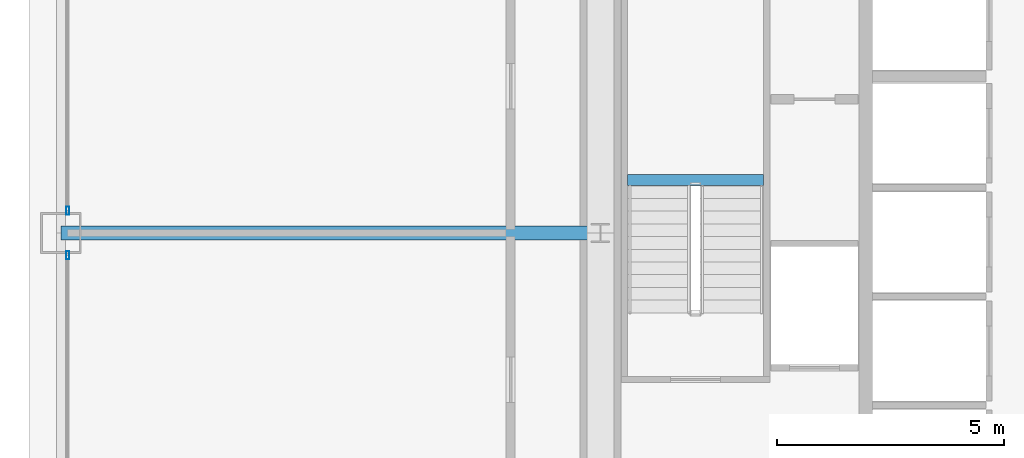
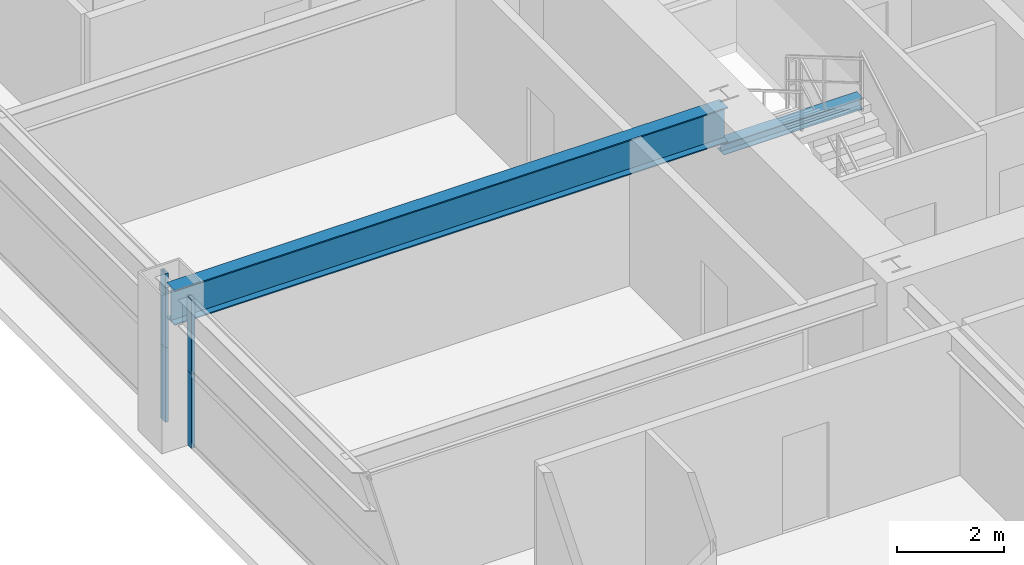
# One storey, part 12 of 43: 4 members, 2 beams, 2 elements without a shape of their own.
"""IFC4 building model written with IfcOpenShell, lengths in metres."""

from ifc_helpers import new_model, si_unit, direction, frame, origin, origin_2d, place, context, subcontext, project, spatial, hollow_rectangle, i_section, extrude, source, transform, mapped, material, layer, layer_set, material_profile, profile_set, type_object, element, aggregate, save


model = new_model("IFC4")

# Units and contexts
model_context = context("Model", 3, precision=1e-05, world=origin(), true_north=direction((0.0, 1.0)))
body_context = subcontext(model_context, "Body", "Model", "MODEL_VIEW")
ifc_project = project(units=[si_unit("LENGTHUNIT", "METRE"), si_unit("AREAUNIT", "SQUARE_METRE"), si_unit("VOLUMEUNIT", "CUBIC_METRE"), si_unit("PLANEANGLEUNIT", "RADIAN"), si_unit("MASSUNIT", "GRAM", prefix="KILO"), si_unit("THERMODYNAMICTEMPERATUREUNIT", "KELVIN"), si_unit("POWERUNIT", "WATT")], contexts=[model_context])

# Site, building, storey
site_placement = place(None, origin())
site = spatial("IfcSite", under=ifc_project, at=site_placement, CompositionType="ELEMENT")
building_placement = place(site_placement, origin())
building = spatial("IfcBuilding", under=site, at=building_placement, Name="Yuzanri Waterfront Tower", CompositionType="ELEMENT")
storey_placement = place(building_placement, frame((0.0, 0.0, 71.199951171875)))
storey = spatial("IfcBuildingStorey", under=building, at=storey_placement, Name="L18", CompositionType="ELEMENT", Elevation=71.199951171875)

# Beam
ifc_material_1 = material(Name="Steel Q355B", Category="steel")
ifc_material_profile_1 = material_profile(ifc_material_1, i_section(OverallWidth=0.300048828125, OverallDepth=0.800048828125, WebThickness=0.013916015625, FlangeThickness=0.02587890625, at=origin_2d()), Name="HN 800x300x14x26")
ifc_profile_set_1 = profile_set([ifc_material_profile_1], Name="Steel Q355B")
beam_type_1 = type_object("IfcBeamType", Name="Primary Floor Girder Q355B HN 800x300", PredefinedType="BEAM", material=ifc_profile_set_1)
shared_shape_1 = source(origin(), body_context, "Body", "SweptSolid", [
    extrude(i_section(OverallWidth=0.300048828125, OverallDepth=0.800048828125, WebThickness=0.013916015625, FlangeThickness=0.02587890625, at=origin_2d()), origin(), (0.0, 0.0, 1.0), 11.900146484375),
])
beam_1_placement = place(storey_placement, frame((23.800048828125, 25.800048828125, 2.97998046875), z_axis=(-1.0, 0.0, 0.0), x_axis=(0.0, -1.0, 0.0)))
element("IfcBeam", 1, at=beam_1_placement, inside=storey, type_object=beam_type_1, Name="L18 West Grid Girder", PredefinedType="BEAM", context=body_context, shape_type="MappedRepresentation", body=[
    mapped(shared_shape_1, transform((0.0, 0.0, 0.0), scale=1.0)),
])

# Curtain wall, members
ifc_material_2 = material(Name="Anodized Architectural Bronze", Category="metal")
ifc_layer = layer(ifc_material_2, 0.159912109375)
ifc_layer_set = layer_set([ifc_layer], Name="Anodized Architectural Bronze")
curtain_wall_type = type_object("IfcCurtainWallType", Name="Anodized Bronze Hotel Lower-Tier Recessed Unitized Curtain Wall 8100", PredefinedType="NOTDEFINED", material=ifc_layer_set)
curtain_wall_1_placement = place(storey_placement, origin())
curtain_wall_1 = element("IfcCurtainWall", 2, at=curtain_wall_1_placement, inside=storey, type_object=curtain_wall_type, Name="L18 Curtain Wall CW-L18-WL", PredefinedType="NOTDEFINED")
ifc_material_3 = material(Name="Anodized Architectural Bronze", Category="metal")
ifc_material_profile_2 = material_profile(ifc_material_3, hollow_rectangle(XDim=0.070068359375, YDim=0.179931640625, WallThickness=0.00390625, at=origin_2d()), Name="CWM 70x180")
ifc_profile_set_2 = profile_set([ifc_material_profile_2], Name="Anodized Architectural Bronze")
member_type = type_object("IfcMemberType", Name="Anodized Bronze Standard Curtain-Wall Mullion 70x180", PredefinedType="MULLION", material=ifc_profile_set_2)
shared_shape_2 = source(origin(), body_context, "Body", "SweptSolid", [
    extrude(hollow_rectangle(XDim=0.070068359375, YDim=0.179931640625, WallThickness=0.00390625, at=origin_2d()), origin(), (0.0, 0.0, 1.0), 1.68798828125),
])
member_1_placement = place(storey_placement, frame((12.050048828125, 25.31005859375, 0.0), z_axis=(0.0, 0.0, 1.0), x_axis=(1.0, 0.0, 0.0)))
member_1 = element("IfcMember", 3, at=member_1_placement, type_object=member_type, Name="CW-L18-WL Lower Mullion 02", PredefinedType="MULLION", context=body_context, shape_type="MappedRepresentation", body=[
    mapped(shared_shape_2, transform((0.0, 0.0, 0.0), scale=1.0)),
])
member_2_placement = place(storey_placement, frame((12.050048828125, 25.31005859375, 1.692138671875), z_axis=(0.0, 0.0, 1.0), x_axis=(1.0, 0.0, 0.0)))
member_2 = element("IfcMember", 4, at=member_2_placement, type_object=member_type, Name="CW-L18-WL Upper Mullion 02", PredefinedType="MULLION", context=body_context, shape_type="MappedRepresentation", body=[
    mapped(shared_shape_2, transform((0.0, 0.0, 0.0), scale=1.0)),
])
aggregate(curtain_wall_1, [member_1, member_2])

curtain_wall_2_placement = place(storey_placement, origin())
curtain_wall_2 = element("IfcCurtainWall", 5, at=curtain_wall_2_placement, inside=storey, type_object=curtain_wall_type, Name="L18 Curtain Wall CW-L18-WR", PredefinedType="NOTDEFINED")
member_3_placement = place(storey_placement, frame((12.050048828125, 26.2900390625, 0.0), z_axis=(0.0, 0.0, 1.0), x_axis=(1.0, 0.0, 0.0)))
member_3 = element("IfcMember", 6, at=member_3_placement, type_object=member_type, Name="CW-L18-WR Lower Mullion 00", PredefinedType="MULLION", context=body_context, shape_type="MappedRepresentation", body=[
    mapped(shared_shape_2, transform((0.0, 0.0, 0.0), scale=1.0)),
])
member_4_placement = place(storey_placement, frame((12.050048828125, 26.2900390625, 1.692138671875), z_axis=(0.0, 0.0, 1.0), x_axis=(1.0, 0.0, 0.0)))
member_4 = element("IfcMember", 7, at=member_4_placement, type_object=member_type, Name="CW-L18-WR Upper Mullion 00", PredefinedType="MULLION", context=body_context, shape_type="MappedRepresentation", body=[
    mapped(shared_shape_2, transform((0.0, 0.0, 0.0), scale=1.0)),
])
aggregate(curtain_wall_2, [member_3, member_4])

# Beam
ifc_material_4 = material(Name="Steel Q355B", Category="steel")
ifc_material_profile_3 = material_profile(ifc_material_4, i_section(OverallWidth=0.25, OverallDepth=0.25, WebThickness=0.009033203125, FlangeThickness=0.013916015625, at=origin_2d()), Name="HW 250x250x9x14")
ifc_profile_set_3 = profile_set([ifc_material_profile_3], Name="Steel Q355B")
beam_type_2 = type_object("IfcBeamType", Name="Stair Landing Support Beam Q355B HW 250x250", PredefinedType="BEAM", material=ifc_profile_set_3)
shared_shape_3 = source(origin(), body_context, "Body", "SweptSolid", [
    extrude(i_section(OverallWidth=0.25, OverallDepth=0.25, WebThickness=0.009033203125, FlangeThickness=0.013916015625, at=origin_2d()), origin(), (0.0, 0.0, 1.0), 3.0),
])
beam_2_placement = place(storey_placement, frame((24.39990234375, 26.969970703125, 1.47509765625), z_axis=(1.0, 0.0, 0.0), x_axis=(0.0, 1.0, 0.0)))
element("IfcBeam", 8, at=beam_2_placement, inside=storey, type_object=beam_type_2, Name="L18 Stair Landing Support Beam ST-01-L18-L1-1", PredefinedType="BEAM", context=body_context, shape_type="MappedRepresentation", body=[
    mapped(shared_shape_3, transform((0.0, 0.0, 0.0), scale=1.0)),
])

save(model, "model.ifc")
